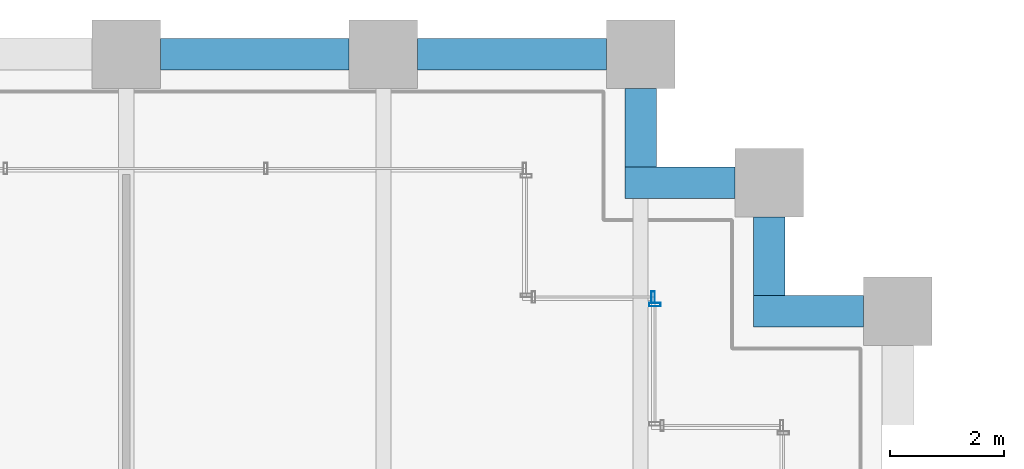
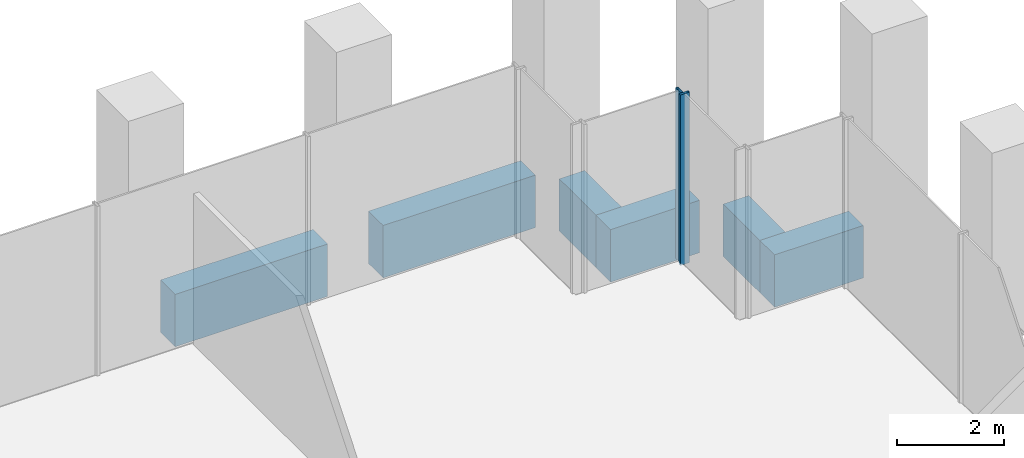
# One storey, part 18 of 36: 6 beams, 2 members, 2 elements without a shape of their own.
"""IFC4 building model written with IfcOpenShell, lengths in metres."""

from ifc_helpers import new_model, si_unit, direction, frame, origin, origin_2d, place, context, subcontext, project, spatial, rectangle, hollow_rectangle, extrude, material, material_profile, profile_set, type_object, element, aggregate, save


model = new_model("IFC4")

# Units and contexts
model_context = context("Model", 3, precision=1e-05, world=origin(), true_north=direction((0.0, 1.0)))
body_context = subcontext(model_context, "Body", "Model", "MODEL_VIEW")
ifc_project = project(units=[si_unit("LENGTHUNIT", "METRE"), si_unit("AREAUNIT", "SQUARE_METRE"), si_unit("VOLUMEUNIT", "CUBIC_METRE"), si_unit("PLANEANGLEUNIT", "RADIAN"), si_unit("MASSUNIT", "GRAM", prefix="KILO")], contexts=[model_context])

# Site, building, storey
site_placement = place(None, origin())
site = spatial("IfcSite", under=ifc_project, at=site_placement, CompositionType="ELEMENT")
building_placement = place(site_placement, origin())
building = spatial("IfcBuilding", under=site, at=building_placement, Name="Altepetl Exchange Towers", CompositionType="ELEMENT")
storey_placement = place(building_placement, frame((0.0, 0.0, 29.800048828125)))
storey = spatial("IfcBuildingStorey", under=building, at=storey_placement, Name="L06", CompositionType="ELEMENT", Elevation=29.800048828125)

# Curtain wall, member
ifc_material_1 = material(Name="Aluminium 6063-T6 glazing", Category="aluminium")
curtain_wall_type = type_object("IfcCurtainWallType", Name="Trading floor glazing system", PredefinedType="NOTDEFINED", material=ifc_material_1)
curtain_wall_1_placement = place(storey_placement, origin())
curtain_wall_1 = element("IfcCurtainWall", 1, at=curtain_wall_1_placement, inside=storey, type_object=curtain_wall_type, Name="CW2 run", PredefinedType="NOTDEFINED")
ifc_material_2 = material(Name="Aluminium 6063-T6", Category="aluminium")
ifc_material_profile_1 = material_profile(ifc_material_2, hollow_rectangle(XDim=0.06005859375, YDim=0.199951171875, WallThickness=0.0029296875, at=origin_2d()), Name="Mullion 60x200 aluminium")
ifc_profile_set_1 = profile_set([ifc_material_profile_1], Name="Aluminium 6063-T6")
member_type = type_object("IfcMemberType", Name="Mullion 60x200 aluminium", PredefinedType="MULLION", material=ifc_profile_set_1)
member_1_placement = place(storey_placement, frame((67.75, 67.6201171875, 0.0), z_axis=(0.0, 0.0, 1.0), x_axis=(0.0, 1.0, 0.0)))
member_1 = element("IfcMember", 2, at=member_1_placement, type_object=member_type, Name="MU2 mullion", PredefinedType="MULLION", context=body_context, shape_type="SweptSolid", body=[
    extrude(hollow_rectangle(XDim=0.06005859375, YDim=0.199951171875, WallThickness=0.0029296875, at=origin_2d()), origin(), (0.0, 0.0, 1.0), 3.89990234375),
])
aggregate(curtain_wall_1, [member_1])

curtain_wall_2_placement = place(storey_placement, origin())
curtain_wall_2 = element("IfcCurtainWall", 3, at=curtain_wall_2_placement, inside=storey, type_object=curtain_wall_type, Name="CW2 run", PredefinedType="NOTDEFINED")
member_2_placement = place(storey_placement, frame((67.719970703125, 67.75, 0.0), z_axis=(0.0, 0.0, 1.0), x_axis=(-1.0, 0.0, 0.0)))
member_2 = element("IfcMember", 4, at=member_2_placement, type_object=member_type, Name="MU2 mullion", PredefinedType="MULLION", context=body_context, shape_type="SweptSolid", body=[
    extrude(hollow_rectangle(XDim=0.06005859375, YDim=0.199951171875, WallThickness=0.0029296875, at=origin_2d()), origin(), (0.0, 0.0, 1.0), 3.89990234375),
])
aggregate(curtain_wall_2, [member_2])

# Beams
ifc_material_3 = material(Name="Concrete C50/60 precast with cantera rosa facing", Category="concrete")
ifc_material_profile_2 = material_profile(ifc_material_3, rectangle(XDim=0.550048828125, YDim=1.199951171875, at=origin_2d()), Name="550 x 1200")
ifc_profile_set_2 = profile_set([ifc_material_profile_2], Name="Concrete C50/60 precast with cantera rosa facing")
beam_type = type_object("IfcBeamType", Name="Spandrel beam 550x1200 cantera rosa", PredefinedType="SPANDREL", material=ifc_profile_set_2)
beam_1_placement = place(storey_placement, frame((71.39990234375, 67.5, -0.775146484375), z_axis=(-1.0, 0.0, 0.0), x_axis=(0.0, -1.0, 0.0)))
element("IfcBeam", 5, at=beam_1_placement, inside=storey, type_object=beam_type, Name="sp:A:L06:020", PredefinedType="SPANDREL", context=body_context, shape_type="SweptSolid", body=[
    extrude(rectangle(XDim=0.550048828125, YDim=1.199951171875, at=origin_2d()), origin(), (0.0, 0.0, 1.0), 1.9248046875),
])
beam_2_placement = place(storey_placement, frame((69.75, 67.77490234375, -0.775146484375), z_axis=(0.0, 1.0, 0.0), x_axis=(-1.0, 0.0, 0.0)))
element("IfcBeam", 6, at=beam_2_placement, inside=storey, type_object=beam_type, Name="sp:A:L06:021", PredefinedType="SPANDREL", context=body_context, shape_type="SweptSolid", body=[
    extrude(rectangle(XDim=0.550048828125, YDim=1.199951171875, at=origin_2d()), origin(), (0.0, 0.0, 1.0), 1.375),
])
beam_3_placement = place(storey_placement, frame((69.14990234375, 69.75, -0.775146484375), z_axis=(-1.0, 0.0, 0.0), x_axis=(0.0, -1.0, 0.0)))
element("IfcBeam", 7, at=beam_3_placement, inside=storey, type_object=beam_type, Name="sp:A:L06:022", PredefinedType="SPANDREL", context=body_context, shape_type="SweptSolid", body=[
    extrude(rectangle(XDim=0.550048828125, YDim=1.199951171875, at=origin_2d()), origin(), (0.0, 0.0, 1.0), 1.9248046875),
])
beam_4_placement = place(storey_placement, frame((67.5, 70.02490234375, -0.775146484375), z_axis=(0.0, 1.0, 0.0), x_axis=(-1.0, 0.0, 0.0)))
element("IfcBeam", 8, at=beam_4_placement, inside=storey, type_object=beam_type, Name="sp:A:L06:023", PredefinedType="SPANDREL", context=body_context, shape_type="SweptSolid", body=[
    extrude(rectangle(XDim=0.550048828125, YDim=1.199951171875, at=origin_2d()), origin(), (0.0, 0.0, 1.0), 1.375),
])
for number, where, z_axis, x_axis, name in (
    (9, (66.89990234375, 72.0, -0.775146484375), (-1.0, 0.0, 0.0), (0.0, -1.0, 0.0), "sp:A:L06:024"),
    (10, (62.39990234375, 72.0, -0.775146484375), (-1.0, 0.0, 0.0), (0.0, -1.0, 0.0), "sp:A:L06:025"),
):
    element("IfcBeam", number, at=place(storey_placement, frame(where, z_axis=z_axis, x_axis=x_axis)), inside=storey, type_object=beam_type, Name=name, PredefinedType="SPANDREL", context=body_context, shape_type="SweptSolid", body=[
        extrude(rectangle(XDim=0.550048828125, YDim=1.199951171875, at=origin_2d()), origin(), (0.0, 0.0, 1.0), 3.2998046875),
    ])

save(model, "model.ifc")
